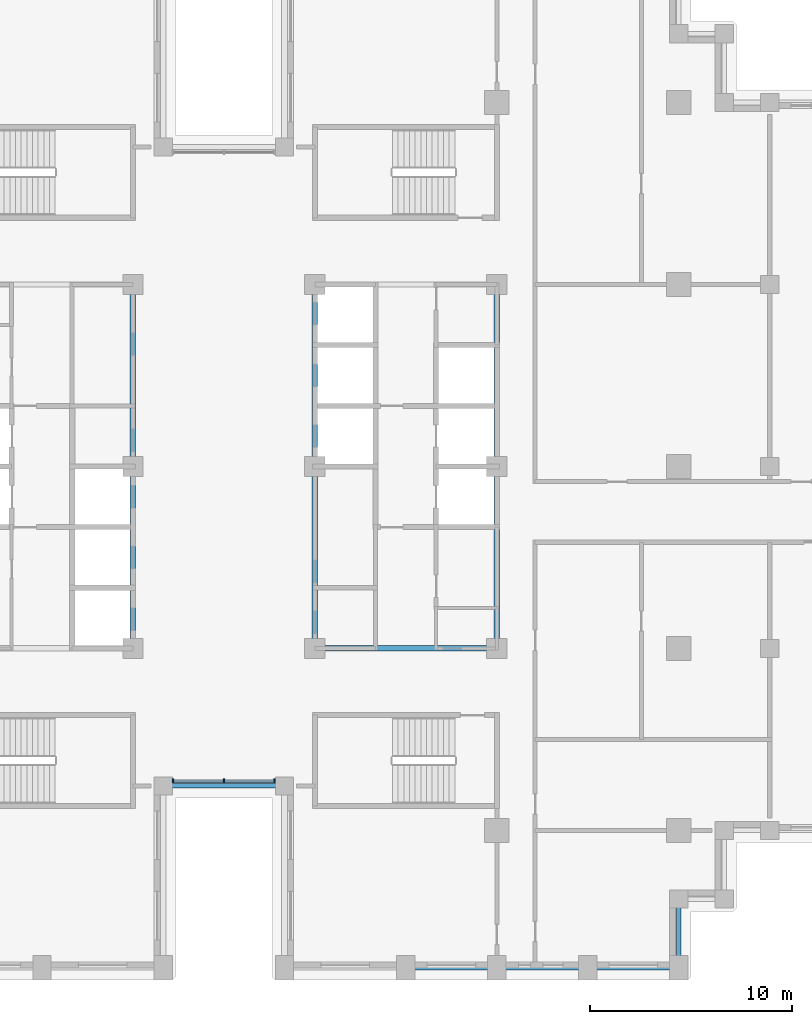
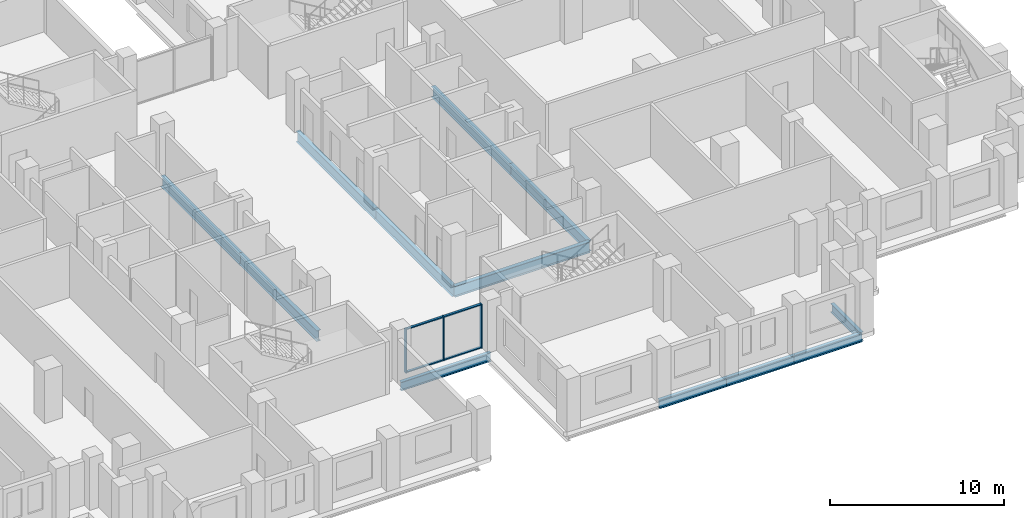
# One storey, part 2 of 16: 12 beams, 7 members, 1 element without a shape of its own.
"""IFC4 building model written with IfcOpenShell, lengths in metres."""

from ifc_helpers import new_model, si_unit, direction, frame, origin, origin_2d, place, context, subcontext, project, spatial, rectangle, i_section, extrude, material, layer, layer_set, material_profile, profile_set, type_object, element, aggregate, save


model = new_model("IFC4")

# Units and contexts
model_context = context("Model", 3, precision=1e-05, world=origin(), true_north=direction((0.0, 1.0)))
body_context = subcontext(model_context, "Body", "Model", "MODEL_VIEW")
ifc_project = project(units=[si_unit("LENGTHUNIT", "METRE"), si_unit("AREAUNIT", "SQUARE_METRE"), si_unit("VOLUMEUNIT", "CUBIC_METRE"), si_unit("PLANEANGLEUNIT", "RADIAN"), si_unit("MASSUNIT", "GRAM", prefix="KILO")], contexts=[model_context])

# Site, building, storey
site_placement = place(None, origin())
site = spatial("IfcSite", under=ifc_project, at=site_placement, CompositionType="ELEMENT")
building_placement = place(site_placement, origin())
building = spatial("IfcBuilding", under=site, at=building_placement, Name="Corbelhall Arena Tower", CompositionType="ELEMENT")
storey_placement = place(building_placement, frame((0.0, 0.0, 108.0)))
storey = spatial("IfcBuildingStorey", under=building, at=storey_placement, Name="L19", CompositionType="ELEMENT", Elevation=108.0)

# Curtain wall, members
ifc_material_1 = material(Name="Aluminium black anodised", Category="aluminium")
ifc_layer = layer(ifc_material_1, 0.199951171875)
ifc_layer_set = layer_set([ifc_layer], Name="EV-CW1 Slot back wall")
curtain_wall_type = type_object("IfcCurtainWallType", Name="EV-CW1 Slot back wall", PredefinedType="NOTDEFINED", material=ifc_layer_set)
curtain_wall_placement = place(storey_placement, origin())
curtain_wall = element("IfcCurtainWall", 1, at=curtain_wall_placement, inside=storey, type_object=curtain_wall_type, Name="Curtain wall CW1", PredefinedType="NOTDEFINED")
ifc_material_profile_1 = material_profile(ifc_material_1, rectangle(XDim=0.199951171875, YDim=0.074951171875, at=origin_2d()))
ifc_profile_set_1 = profile_set([ifc_material_profile_1], Name="Aluminium black anodised")
member_type_1 = type_object("IfcMemberType", Name="EV-CW1-MULLION", PredefinedType="MULLION", material=ifc_profile_set_1)
member_1_placement = place(storey_placement, frame((-2.512451171875, -15.550048828125, 0.0), z_axis=(0.0, 0.0, 1.0), x_axis=(0.0, 1.0, 0.0)))
member_1 = element("IfcMember", 2, at=member_1_placement, type_object=member_type_1, Name="CW1 mullion 1", PredefinedType="MULLION", context=body_context, shape_type="SweptSolid", body=[
    extrude(rectangle(XDim=0.199951171875, YDim=0.074951171875, at=origin_2d()), origin(), (0.0, 0.0, 1.0), 3.10009765625),
])
member_2_placement = place(storey_placement, frame((0.0, -15.550048828125, 0.0), z_axis=(0.0, 0.0, 1.0), x_axis=(0.0, 1.0, 0.0)))
member_2 = element("IfcMember", 3, at=member_2_placement, type_object=member_type_1, Name="CW1 mullion 2", PredefinedType="MULLION", context=body_context, shape_type="SweptSolid", body=[
    extrude(rectangle(XDim=0.199951171875, YDim=0.074951171875, at=origin_2d()), origin(), (0.0, 0.0, 1.0), 3.10009765625),
])
member_3_placement = place(storey_placement, frame((2.512451171875, -15.550048828125, 0.0), z_axis=(0.0, 0.0, 1.0), x_axis=(0.0, 1.0, 0.0)))
member_3 = element("IfcMember", 4, at=member_3_placement, type_object=member_type_1, Name="CW1 mullion 3", PredefinedType="MULLION", context=body_context, shape_type="SweptSolid", body=[
    extrude(rectangle(XDim=0.199951171875, YDim=0.074951171875, at=origin_2d()), origin(), (0.0, 0.0, 1.0), 3.10009765625),
])
ifc_material_profile_2 = material_profile(ifc_material_1, rectangle(XDim=0.14990234375, YDim=0.074951171875, at=origin_2d()))
ifc_profile_set_2 = profile_set([ifc_material_profile_2], Name="Aluminium black anodised")
member_type_2 = type_object("IfcMemberType", Name="EV-CW1-TRANSOM", PredefinedType="USERDEFINED", material=ifc_profile_set_2)
member_4_placement = place(storey_placement, frame((-2.47509765625, -15.550048828125, 0.03759765625), z_axis=(1.0, 0.0, 0.0), x_axis=(0.0, 1.0, 0.0)))
member_4 = element("IfcMember", 5, at=member_4_placement, type_object=member_type_2, Name="CW1 transom 1.1", ObjectType="transom", PredefinedType="USERDEFINED", context=body_context, shape_type="SweptSolid", body=[
    extrude(rectangle(XDim=0.14990234375, YDim=0.074951171875, at=origin_2d()), origin(), (0.0, 0.0, 1.0), 2.4375),
])
member_5_placement = place(storey_placement, frame((-2.47509765625, -15.550048828125, 3.0625), z_axis=(1.0, 0.0, 0.0), x_axis=(0.0, 1.0, 0.0)))
member_5 = element("IfcMember", 6, at=member_5_placement, type_object=member_type_2, Name="CW1 transom 1.2", ObjectType="transom", PredefinedType="USERDEFINED", context=body_context, shape_type="SweptSolid", body=[
    extrude(rectangle(XDim=0.14990234375, YDim=0.074951171875, at=origin_2d()), origin(), (0.0, 0.0, 1.0), 2.4375),
])
member_6_placement = place(storey_placement, frame((0.03759765625, -15.550048828125, 0.03759765625), z_axis=(1.0, 0.0, 0.0), x_axis=(0.0, 1.0, 0.0)))
member_6 = element("IfcMember", 7, at=member_6_placement, type_object=member_type_2, Name="CW1 transom 2.1", ObjectType="transom", PredefinedType="USERDEFINED", context=body_context, shape_type="SweptSolid", body=[
    extrude(rectangle(XDim=0.14990234375, YDim=0.074951171875, at=origin_2d()), origin(), (0.0, 0.0, 1.0), 2.4375),
])
member_7_placement = place(storey_placement, frame((0.03759765625, -15.550048828125, 3.0625), z_axis=(1.0, 0.0, 0.0), x_axis=(0.0, 1.0, 0.0)))
member_7 = element("IfcMember", 8, at=member_7_placement, type_object=member_type_2, Name="CW1 transom 2.2", ObjectType="transom", PredefinedType="USERDEFINED", context=body_context, shape_type="SweptSolid", body=[
    extrude(rectangle(XDim=0.14990234375, YDim=0.074951171875, at=origin_2d()), origin(), (0.0, 0.0, 1.0), 2.4375),
])
aggregate(curtain_wall, [member_1, member_2, member_3, member_4, member_5, member_6, member_7])

# Beams
ifc_material_2 = material(Name="Steel ASTM A992 Gr50", Category="steel")
ifc_material_profile_3 = material_profile(ifc_material_2, i_section(OverallWidth=0.2666015625, OverallDepth=0.761962890625, WebThickness=0.014404296875, FlangeThickness=0.021484375, at=origin_2d()))
ifc_profile_set_3 = profile_set([ifc_material_profile_3], Name="Steel ASTM A992 Gr50")
beam_type_1 = type_object("IfcBeamType", Name="ST-BEAM-W30x116", PredefinedType="BEAM", material=ifc_profile_set_3)
for number, where, z_axis, x_axis, name in (
    (9, (-4.5, -9.0, -0.680908203125), (0.0, 1.0, 0.0), (-1.0, 0.0, 0.0), "Beam CEW 3"),
    (10, (-4.5, 0.0, -0.680908203125), (0.0, 1.0, 0.0), (-1.0, 0.0, 0.0), "Beam CEW 4"),
    (11, (4.5, -9.0, -0.680908203125), (0.0, 1.0, 0.0), (-1.0, 0.0, 0.0), "Beam CEE 7"),
    (12, (4.5, 0.0, -0.680908203125), (0.0, 1.0, 0.0), (-1.0, 0.0, 0.0), "Beam CEE 8"),
    (13, (13.5, -9.0, -0.680908203125), (0.0, 1.0, 0.0), (-1.0, 0.0, 0.0), "Beam CEE 9"),
    (14, (13.5, 0.0, -0.680908203125), (0.0, 1.0, 0.0), (-1.0, 0.0, 0.0), "Beam CEE 10"),
    (15, (4.5, -9.0, -0.680908203125), (1.0, 0.0, 0.0), (0.0, 1.0, 0.0), "Beam CEE 11"),
):
    element("IfcBeam", number, at=place(storey_placement, frame(where, z_axis=z_axis, x_axis=x_axis)), inside=storey, type_object=beam_type_1, Name=name, PredefinedType="BEAM", context=body_context, shape_type="SweptSolid", body=[
        extrude(i_section(OverallWidth=0.2666015625, OverallDepth=0.761962890625, WebThickness=0.014404296875, FlangeThickness=0.021484375, at=origin_2d()), origin(), (0.0, 0.0, 1.0), 9.0),
    ])
ifc_material_profile_4 = material_profile(ifc_material_2, i_section(OverallWidth=0.23046875, OverallDepth=0.6171875, WebThickness=0.01318359375, FlangeThickness=0.022216796875, at=origin_2d()))
ifc_profile_set_4 = profile_set([ifc_material_profile_4], Name="Steel ASTM A992 Gr50")
beam_type_2 = type_object("IfcBeamType", Name="ST-SPANDREL-W24x94", PredefinedType="SPANDREL", material=ifc_profile_set_4)
for number, where, z_axis, x_axis, name in (
    (16, (13.5, -24.800048828125, -0.608642578125), (-1.0, 0.0, 0.0), (0.0, -1.0, 0.0), "Beam SP 29"),
    (17, (18.0, -24.800048828125, -0.608642578125), (-1.0, 0.0, 0.0), (0.0, -1.0, 0.0), "Beam SP 30"),
    (18, (22.5, -24.800048828125, -0.608642578125), (-1.0, 0.0, 0.0), (0.0, -1.0, 0.0), "Beam SP 31"),
):
    element("IfcBeam", number, at=place(storey_placement, frame(where, z_axis=z_axis, x_axis=x_axis)), inside=storey, type_object=beam_type_2, Name=name, PredefinedType="SPANDREL", context=body_context, shape_type="SweptSolid", body=[
        extrude(i_section(OverallWidth=0.23046875, OverallDepth=0.6171875, WebThickness=0.01318359375, FlangeThickness=0.022216796875, at=origin_2d()), origin(), (0.0, 0.0, 1.0), 4.5),
    ])
beam_1_placement = place(storey_placement, frame((3.0, -15.800048828125, -0.608642578125), z_axis=(-1.0, 0.0, 0.0), x_axis=(0.0, -1.0, 0.0)))
element("IfcBeam", 19, at=beam_1_placement, inside=storey, type_object=beam_type_2, Name="Beam SP 41", PredefinedType="SPANDREL", context=body_context, shape_type="SweptSolid", body=[
    extrude(i_section(OverallWidth=0.23046875, OverallDepth=0.6171875, WebThickness=0.01318359375, FlangeThickness=0.022216796875, at=origin_2d()), origin(), (0.0, 0.0, 1.0), 6.0),
])
beam_2_placement = place(storey_placement, frame((22.5, -21.39990234375, -0.608642578125), z_axis=(0.0, -1.0, 0.0), x_axis=(1.0, 0.0, 0.0)))
element("IfcBeam", 20, at=beam_2_placement, inside=storey, type_object=beam_type_2, Name="Beam SP 49", PredefinedType="SPANDREL", context=body_context, shape_type="SweptSolid", body=[
    extrude(i_section(OverallWidth=0.23046875, OverallDepth=0.6171875, WebThickness=0.01318359375, FlangeThickness=0.022216796875, at=origin_2d()), origin(), (0.0, 0.0, 1.0), 3.400146484375),
])

save(model, "model.ifc")
